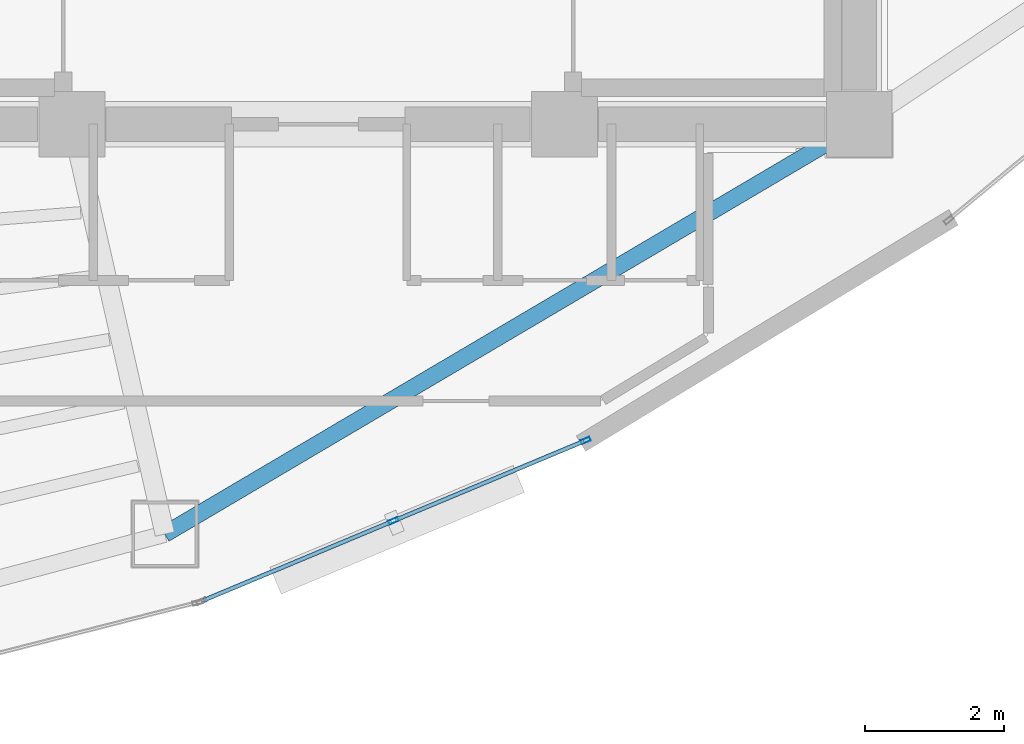
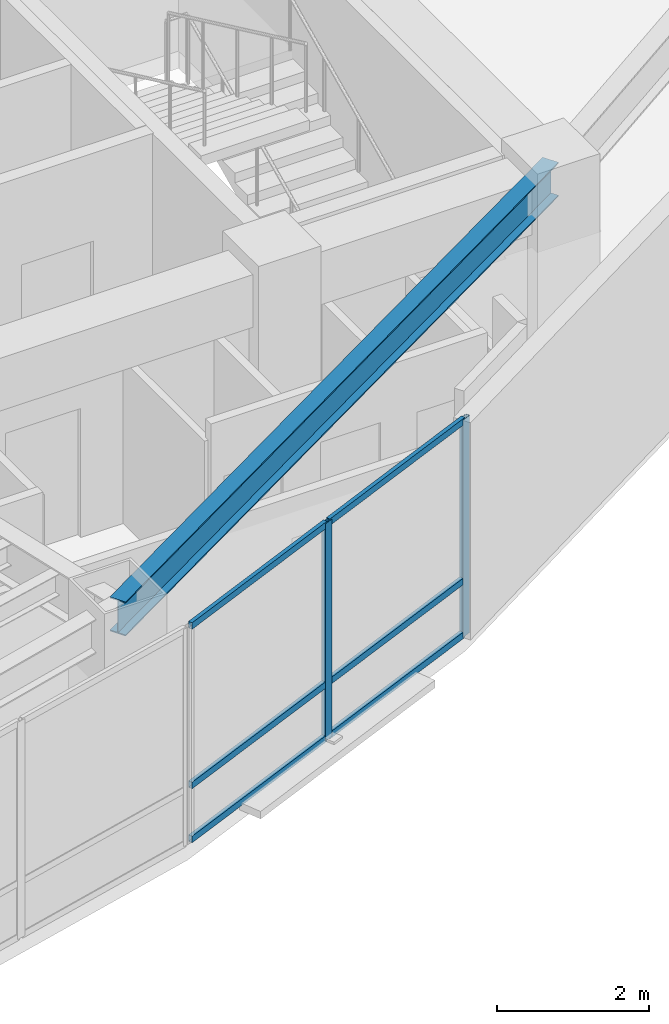
# One storey, part 4 of 17: 8 members, 1 beam, 1 element without a shape of its own.
"""IFC4 building model written with IfcOpenShell, lengths in metres."""

from ifc_helpers import new_model, si_unit, direction, frame, origin, origin_2d, place, context, subcontext, project, spatial, hollow_rectangle, i_section, extrude, material, layer, layer_set, material_profile, profile_set, type_object, element, aggregate, save


model = new_model("IFC4")

# Units and contexts
model_context = context("Model", 3, precision=1e-05, world=origin(), true_north=direction((0.0, 1.0)))
body_context = subcontext(model_context, "Body", "Model", "MODEL_VIEW")
ifc_project = project(units=[si_unit("LENGTHUNIT", "METRE"), si_unit("AREAUNIT", "SQUARE_METRE"), si_unit("VOLUMEUNIT", "CUBIC_METRE"), si_unit("PLANEANGLEUNIT", "RADIAN"), si_unit("MASSUNIT", "GRAM", prefix="KILO")], contexts=[model_context])

# Site, building, storey
site_placement = place(None, origin())
site = spatial("IfcSite", under=ifc_project, at=site_placement, CompositionType="ELEMENT")
building_placement = place(site_placement, origin())
building = spatial("IfcBuilding", under=site, at=building_placement, Name="Menara Vayukalpa", CompositionType="ELEMENT")
storey_placement = place(building_placement, frame((0.0, 0.0, 206.39990234375)))
storey = spatial("IfcBuildingStorey", under=building, at=storey_placement, Name="L52", CompositionType="ELEMENT", Elevation=206.39990234375)

# Beam
ifc_material_1 = material(Name="Steel S355", Category="steel")
ifc_material_profile_1 = material_profile(ifc_material_1, i_section(OverallWidth=0.239990234375, OverallDepth=0.550048828125, WebThickness=0.010986328125, FlangeThickness=0.01904296875, at=origin_2d()), Name="WF 550x240x11x19")
ifc_profile_set_1 = profile_set([ifc_material_profile_1], Name="Steel S355")
beam_type = type_object("IfcBeamType", Name="BM-SP2", PredefinedType="SPANDREL", material=ifc_profile_set_1)
beam_placement = place(storey_placement, frame((23.389404296875, 11.29150390625, 3.22509765625), z_axis=(0.861184403346, 0.508292655302, 0.0), x_axis=(-0.508292655302, 0.861184403346, 0.0)))
element("IfcBeam", 1, at=beam_placement, inside=storey, type_object=beam_type, Name="L52 Perimeter Spandrel Beam SP08", PredefinedType="SPANDREL", context=body_context, shape_type="SweptSolid", body=[
    extrude(i_section(OverallWidth=0.239990234375, OverallDepth=0.550048828125, WebThickness=0.010986328125, FlangeThickness=0.01904296875, at=origin_2d()), origin(), (0.0, 0.0, 1.0), 11.6240234375),
])

# Curtain wall, members
ifc_material_2 = material(Name="Anodised Terracotta Aluminium Alloy 6063-T6", Category="masonry")
ifc_layer = layer(ifc_material_2, 0.139892578125)
ifc_layer_set = layer_set([ifc_layer], Name="Anodised Terracotta Aluminium Alloy 6063-T6")
curtain_wall_type = type_object("IfcCurtainWallType", Name="CW-CW5", PredefinedType="USERDEFINED", material=ifc_layer_set)
curtain_wall_placement = place(storey_placement, origin())
curtain_wall = element("IfcCurtainWall", 2, at=curtain_wall_placement, inside=storey, type_object=curtain_wall_type, Name="L52 High Rise Tapered Curtain Wall CW5 17", ObjectType="UNITISED", PredefinedType="USERDEFINED")
ifc_material_3 = material(Name="Anodised Terracotta Aluminium Alloy 6063-T6", Category="masonry")
ifc_material_profile_2 = material_profile(ifc_material_3, hollow_rectangle(XDim=0.06005859375, YDim=0.139892578125, WallThickness=0.00341796875, at=origin_2d()), Name="ALU 60x140x3.5")
ifc_profile_set_2 = profile_set([ifc_material_profile_2], Name="Anodised Terracotta Aluminium Alloy 6063-T6")
member_type_1 = type_object("IfcMemberType", Name="CWM-CW5", PredefinedType="MULLION", material=ifc_profile_set_2)
member_1_placement = place(storey_placement, frame((26.686279296875, 11.481689453125, 0.0), z_axis=(0.0, 0.0, 1.0), x_axis=(-0.385902834406, 0.922539431351, 0.0)))
member_1 = element("IfcMember", 3, at=member_1_placement, type_object=member_type_1, Name="CW5 mullion 2", PredefinedType="MULLION", context=body_context, shape_type="SweptSolid", body=[
    extrude(hollow_rectangle(XDim=0.06005859375, YDim=0.139892578125, WallThickness=0.00341796875, at=origin_2d()), origin(), (0.0, 0.0, 1.0), 3.5),
])
member_2_placement = place(storey_placement, frame((29.4560546875, 12.640380859375, 0.0), z_axis=(0.0, 0.0, 1.0), x_axis=(-0.385902834406, 0.922539431351, 0.0)))
member_2 = element("IfcMember", 4, at=member_2_placement, type_object=member_type_1, Name="CW5 mullion 3", PredefinedType="MULLION", context=body_context, shape_type="SweptSolid", body=[
    extrude(hollow_rectangle(XDim=0.06005859375, YDim=0.139892578125, WallThickness=0.00341796875, at=origin_2d()), origin(), (0.0, 0.0, 1.0), 3.5),
])
ifc_material_4 = material(Name="Anodised Terracotta Aluminium Alloy 6063-T6", Category="masonry")
ifc_material_profile_3 = material_profile(ifc_material_4, hollow_rectangle(XDim=0.06005859375, YDim=0.10498046875, WallThickness=0.0029296875, at=origin_2d()), Name="ALU 60x105x3")
ifc_profile_set_3 = profile_set([ifc_material_profile_3], Name="Anodised Terracotta Aluminium Alloy 6063-T6")
member_type_2 = type_object("IfcMemberType", Name="CWT-CW5", PredefinedType="USERDEFINED", material=ifc_profile_set_3)
member_3_placement = place(storey_placement, frame((23.94384765625, 10.33447265625, 0.030029296875), z_axis=(0.922543360613, 0.385893440976, 0.0), x_axis=(-0.385893440976, 0.922543360613, 0.0)))
member_3 = element("IfcMember", 5, at=member_3_placement, type_object=member_type_2, Name="CW5 transom 1.1", ObjectType="TRANSOM", PredefinedType="USERDEFINED", context=body_context, shape_type="SweptSolid", body=[
    extrude(hollow_rectangle(XDim=0.06005859375, YDim=0.10498046875, WallThickness=0.0029296875, at=origin_2d()), origin(), (0.0, 0.0, 1.0), 2.942626953125),
])
member_4_placement = place(storey_placement, frame((23.94384765625, 10.33447265625, 0.900146484375), z_axis=(0.922543360613, 0.385893440976, 0.0), x_axis=(-0.385893440976, 0.922543360613, 0.0)))
member_4 = element("IfcMember", 6, at=member_4_placement, type_object=member_type_2, Name="CW5 transom 1.2", ObjectType="TRANSOM", PredefinedType="USERDEFINED", context=body_context, shape_type="SweptSolid", body=[
    extrude(hollow_rectangle(XDim=0.06005859375, YDim=0.10498046875, WallThickness=0.0029296875, at=origin_2d()), origin(), (0.0, 0.0, 1.0), 2.942626953125),
])
member_5_placement = place(storey_placement, frame((23.94384765625, 10.33447265625, 3.47021484375), z_axis=(0.922543360613, 0.385893440976, 0.0), x_axis=(-0.385893440976, 0.922543360613, 0.0)))
member_5 = element("IfcMember", 7, at=member_5_placement, type_object=member_type_2, Name="CW5 transom 1.3", ObjectType="TRANSOM", PredefinedType="USERDEFINED", context=body_context, shape_type="SweptSolid", body=[
    extrude(hollow_rectangle(XDim=0.06005859375, YDim=0.10498046875, WallThickness=0.0029296875, at=origin_2d()), origin(), (0.0, 0.0, 1.0), 2.942626953125),
])
member_6_placement = place(storey_placement, frame((26.7138671875, 11.4931640625, 0.030029296875), z_axis=(0.922543360613, 0.385893440976, 0.0), x_axis=(-0.385893440976, 0.922543360613, 0.0)))
member_6 = element("IfcMember", 8, at=member_6_placement, type_object=member_type_2, Name="CW5 transom 2.1", ObjectType="TRANSOM", PredefinedType="USERDEFINED", context=body_context, shape_type="SweptSolid", body=[
    extrude(hollow_rectangle(XDim=0.06005859375, YDim=0.10498046875, WallThickness=0.0029296875, at=origin_2d()), origin(), (0.0, 0.0, 1.0), 2.942626953125),
])
member_7_placement = place(storey_placement, frame((26.7138671875, 11.4931640625, 0.900146484375), z_axis=(0.922543360613, 0.385893440976, 0.0), x_axis=(-0.385893440976, 0.922543360613, 0.0)))
member_7 = element("IfcMember", 9, at=member_7_placement, type_object=member_type_2, Name="CW5 transom 2.2", ObjectType="TRANSOM", PredefinedType="USERDEFINED", context=body_context, shape_type="SweptSolid", body=[
    extrude(hollow_rectangle(XDim=0.06005859375, YDim=0.10498046875, WallThickness=0.0029296875, at=origin_2d()), origin(), (0.0, 0.0, 1.0), 2.942626953125),
])
member_8_placement = place(storey_placement, frame((26.7138671875, 11.4931640625, 3.47021484375), z_axis=(0.922543360613, 0.385893440976, 0.0), x_axis=(-0.385893440976, 0.922543360613, 0.0)))
member_8 = element("IfcMember", 10, at=member_8_placement, type_object=member_type_2, Name="CW5 transom 2.3", ObjectType="TRANSOM", PredefinedType="USERDEFINED", context=body_context, shape_type="SweptSolid", body=[
    extrude(hollow_rectangle(XDim=0.06005859375, YDim=0.10498046875, WallThickness=0.0029296875, at=origin_2d()), origin(), (0.0, 0.0, 1.0), 2.942626953125),
])
aggregate(curtain_wall, [member_1, member_2, member_3, member_4, member_5, member_6, member_7, member_8])

save(model, "model.ifc")
